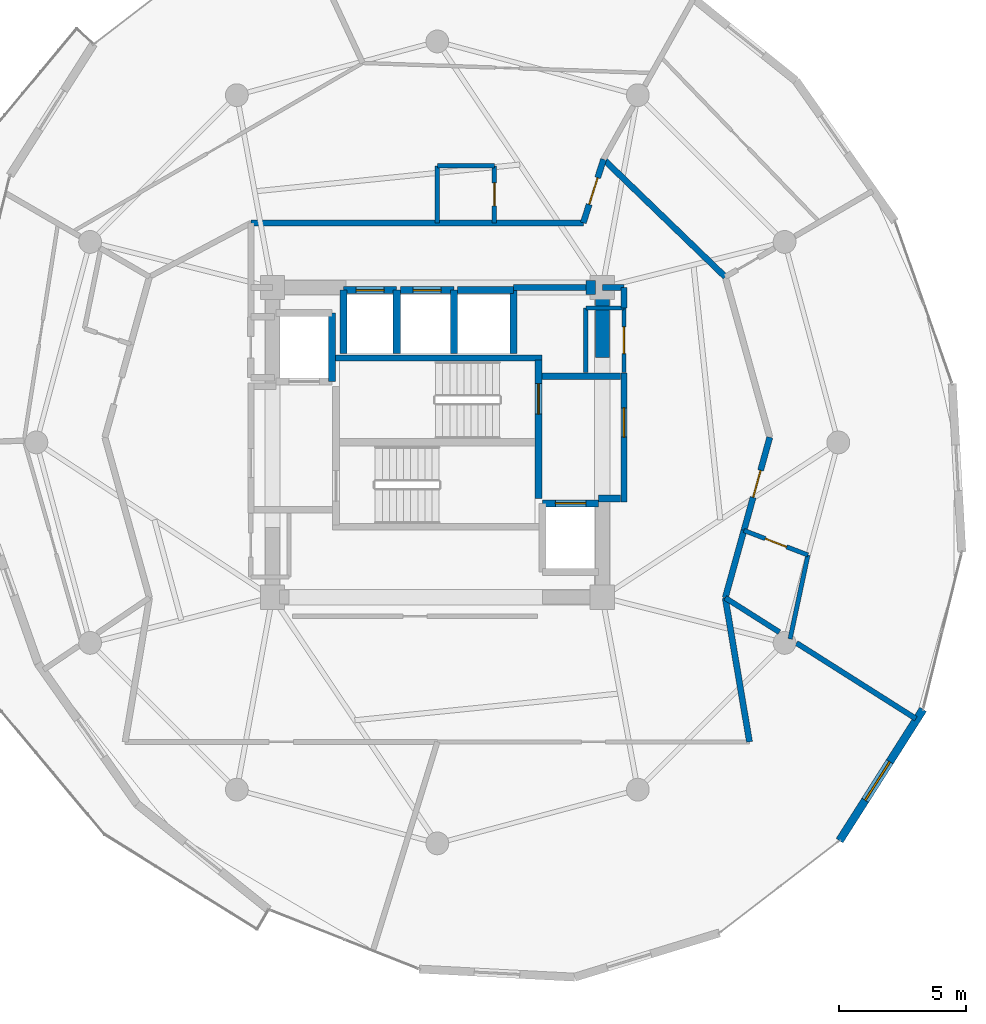
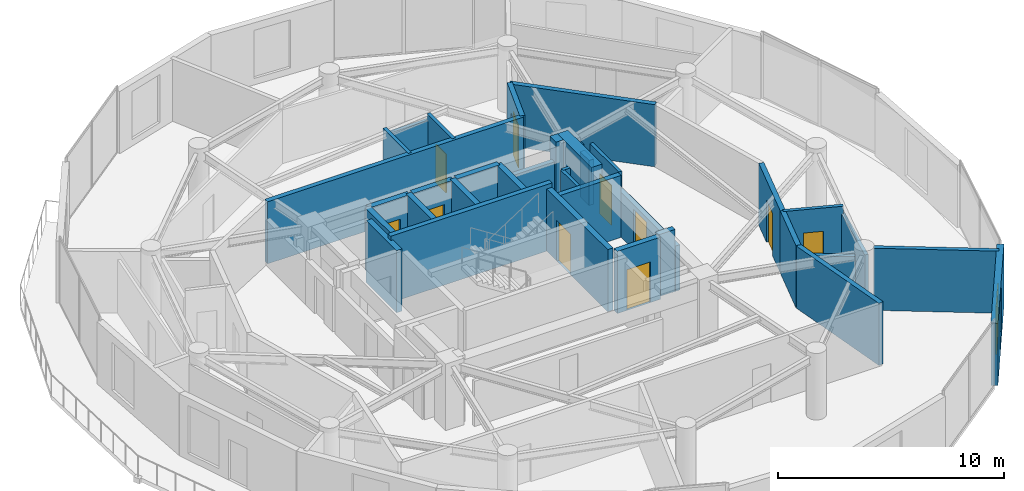
# One storey, part 15 of 18: 36 walls, 10 doors, 1 window, 11 openings.
"""IFC4 building model written with IfcOpenShell, lengths in metres."""

from ifc_helpers import new_model, si_unit, direction, frame, frame_2d, origin, place, context, subcontext, project, spatial, rectangle, extrude, material, layer, layer_set, type_object, element, fill, save


model = new_model("IFC4")

# Units and contexts
model_context = context("Model", 3, precision=1e-05, world=origin(), true_north=direction((0.0, 1.0)))
body_context = subcontext(model_context, "Body", "Model", "MODEL_VIEW")
ifc_project = project(units=[si_unit("LENGTHUNIT", "METRE"), si_unit("AREAUNIT", "SQUARE_METRE"), si_unit("VOLUMEUNIT", "CUBIC_METRE"), si_unit("PLANEANGLEUNIT", "RADIAN"), si_unit("MASSUNIT", "GRAM", prefix="KILO")], contexts=[model_context])

# Site, building, storey
site_placement = place(None, origin())
site = spatial("IfcSite", under=ifc_project, at=site_placement, CompositionType="ELEMENT")
building_placement = place(site_placement, origin())
building = spatial("IfcBuilding", under=site, at=building_placement, Name="Solvirekh Grand Hotel", CompositionType="ELEMENT")
storey_placement = place(building_placement, frame((0.0, 0.0, 198.39990234375)))
storey = spatial("IfcBuildingStorey", under=building, at=storey_placement, Name="L51", CompositionType="ELEMENT", Elevation=198.39990234375)

# Wall
ifc_material_1 = material(Name="Concrete C50/60", Category="concrete")
ifc_layer_1 = layer(ifc_material_1, 0.35009765625)
ifc_layer_set_1 = layer_set([ifc_layer_1], Name="Concrete C50/60")
wall_type_1 = type_object("IfcWallType", Name="CoreDivWall_RC350", PredefinedType="SOLIDWALL", material=ifc_layer_set_1)
wall_1_placement = place(storey_placement, frame((-4.1298828125, 3.324951171875, 0.0), z_axis=(0.0, 0.0, 1.0), x_axis=(1.0, 0.0, 0.0)))
element("IfcWall", 1, at=wall_1_placement, inside=storey, type_object=wall_type_1, Name="L51 core stair box wall ST-N", PredefinedType="SOLIDWALL", context=body_context, shape_type="SweptSolid", body=[
    extrude(rectangle(XDim=8.259765625, YDim=0.25, at=frame_2d((4.1298828125, 0.0))), origin(), (0.0, 0.0, 1.0), 3.60009765625),
])

# Wall, opening, door
ifc_material_2 = material(Name="Concrete C40/50", Category="concrete")
ifc_layer_2 = layer(ifc_material_2, 0.280029296875)
ifc_layer_set_2 = layer_set([ifc_layer_2], Name="Concrete C40/50")
wall_type_2 = type_object("IfcWallType", Name="CoreShaftWall_RC280", PredefinedType="SOLIDWALL", material=ifc_layer_set_2)
wall_2_placement = place(storey_placement, frame((-1.60009765625, 6.0, 0.0), z_axis=(0.0, 0.0, 1.0), x_axis=(-1.0, 0.0, 0.0)))
wall_2 = element("IfcWall", 2, at=wall_2_placement, inside=storey, type_object=wall_type_2, Name="L51 HP-1 hoistway N wall", PredefinedType="SOLIDWALL", context=body_context, shape_type="SweptSolid", body=[
    extrude(rectangle(XDim=2.099853515625, YDim=0.280029296875, at=frame_2d((1.0498046875, 0.0))), origin(), (0.0, 0.0, 1.0), 3.360107421875),
])
opening_1_placement = place(wall_2_placement, frame((0.5, 0.0, 0.0)))
opening_1 = element("IfcOpeningElement", 3, at=opening_1_placement, cuts=wall_2, Name="Opening LD01", PredefinedType="OPENING", context=body_context, shape_type="SweptSolid", body=[
    extrude(rectangle(XDim=1.10009765625, YDim=2.199951171875, at=frame_2d((0.550048828125, 1.10009765625))), frame((0.0, 0.14990234375, 0.0), z_axis=(0.0, -1.0, 0.0), x_axis=(1.0, 0.0, 0.0)), (0.0, 0.0, 1.0), 0.300048828125),
])
ifc_material_3 = material(Name="Fire-Rated Steel Door Assembly", Category="steel")
door_type_1 = type_object("IfcDoorType", Name="Door_LiftLanding_1100X2200", OperationType="SLIDING_TO_LEFT", PredefinedType="DOOR", material=ifc_material_3)
door_1_placement = place(opening_1_placement, origin())
door_1 = element("IfcDoor", 4, at=door_1_placement, inside=storey, type_object=door_type_1, Name="L51 HP-1 sliding lift landing door", OperationType="SLIDING_TO_LEFT", OverallHeight=2.199951171875, OverallWidth=1.10009765625, PredefinedType="DOOR", context=body_context, shape_type="SweptSolid", body=[
    extrude(rectangle(XDim=1.10009765625, YDim=2.199951171875, at=frame_2d((0.550048828125, 1.10009765625))), frame((0.0, 0.02490234375, 0.0), z_axis=(0.0, -1.0, 0.0), x_axis=(1.0, 0.0, 0.0)), (0.0, 0.0, 1.0), 0.050048828125),
])
fill(opening_1, door_1)

# Walls
for number, where, z_axis, x_axis, name in (
    (5, (-3.699951171875, 6.0, 0.0), (0.0, 0.0, 1.0), (0.0, -1.0, 0.0), "L51 HP-1 hoistway W wall"),
    (6, (-1.60009765625, 3.5, 0.0), (0.0, 0.0, 1.0), (0.0, 1.0, 0.0), "L51 HP-1 hoistway E wall"),
):
    element("IfcWall", number, at=place(storey_placement, frame(where, z_axis=z_axis, x_axis=x_axis)), inside=storey, type_object=wall_type_2, Name=name, PredefinedType="SOLIDWALL", context=body_context, shape_type="SweptSolid", body=[
        extrude(rectangle(XDim=2.5, YDim=0.280029296875, at=frame_2d((1.25, 0.0))), origin(), (0.0, 0.0, 1.0), 3.360107421875),
    ])

# Wall, opening, door
wall_3_placement = place(storey_placement, frame((0.64990234375, 6.0, 0.0), z_axis=(0.0, 0.0, 1.0), x_axis=(-1.0, 0.0, 0.0)))
wall_3 = element("IfcWall", 7, at=wall_3_placement, inside=storey, type_object=wall_type_2, Name="L51 HP-2 hoistway N wall", PredefinedType="SOLIDWALL", context=body_context, shape_type="SweptSolid", body=[
    extrude(rectangle(XDim=2.099853515625, YDim=0.280029296875, at=frame_2d((1.0498046875, 0.0))), origin(), (0.0, 0.0, 1.0), 3.360107421875),
])
opening_2_placement = place(wall_3_placement, frame((0.5, 0.0, 0.0)))
opening_2 = element("IfcOpeningElement", 8, at=opening_2_placement, cuts=wall_3, Name="Opening LD01", PredefinedType="OPENING", context=body_context, shape_type="SweptSolid", body=[
    extrude(rectangle(XDim=1.10009765625, YDim=2.199951171875, at=frame_2d((0.550048828125, 1.10009765625))), frame((0.0, 0.14990234375, 0.0), z_axis=(0.0, -1.0, 0.0), x_axis=(1.0, 0.0, 0.0)), (0.0, 0.0, 1.0), 0.300048828125),
])
door_2_placement = place(opening_2_placement, origin())
door_2 = element("IfcDoor", 9, at=door_2_placement, inside=storey, type_object=door_type_1, Name="L51 HP-2 sliding lift landing door", OperationType="SLIDING_TO_LEFT", OverallHeight=2.199951171875, OverallWidth=1.10009765625, PredefinedType="DOOR", context=body_context, shape_type="SweptSolid", body=[
    extrude(rectangle(XDim=1.10009765625, YDim=2.199951171875, at=frame_2d((0.550048828125, 1.10009765625))), frame((0.0, 0.02490234375, 0.0), z_axis=(0.0, -1.0, 0.0), x_axis=(1.0, 0.0, 0.0)), (0.0, 0.0, 1.0), 0.050048828125),
])
fill(opening_2, door_2)

# Walls
wall_4_placement = place(storey_placement, frame((0.64990234375, 3.5, 0.0), z_axis=(0.0, 0.0, 1.0), x_axis=(0.0, 1.0, 0.0)))
element("IfcWall", 10, at=wall_4_placement, inside=storey, type_object=wall_type_2, Name="L51 HP-2 hoistway E wall", PredefinedType="SOLIDWALL", context=body_context, shape_type="SweptSolid", body=[
    extrude(rectangle(XDim=2.5, YDim=0.280029296875, at=frame_2d((1.25, 0.0))), origin(), (0.0, 0.0, 1.0), 3.360107421875),
])
wall_5_placement = place(storey_placement, frame((3.0, 6.0, 0.0), z_axis=(0.0, 0.0, 1.0), x_axis=(-1.0, 0.0, 0.0)))
element("IfcWall", 11, at=wall_5_placement, inside=storey, type_object=wall_type_2, Name="L51 EX-1 hoistway N wall", PredefinedType="SOLIDWALL", context=body_context, shape_type="SweptSolid", body=[
    extrude(rectangle(XDim=2.199951171875, YDim=0.280029296875, at=frame_2d((1.10009765625, 0.0))), origin(), (0.0, 0.0, 1.0), 3.360107421875),
])
wall_6_placement = place(storey_placement, frame((3.0, 3.5, 0.0), z_axis=(0.0, 0.0, 1.0), x_axis=(0.0, 1.0, 0.0)))
element("IfcWall", 12, at=wall_6_placement, inside=storey, type_object=wall_type_2, Name="L51 EX-1 hoistway E wall", PredefinedType="SOLIDWALL", context=body_context, shape_type="SweptSolid", body=[
    extrude(rectangle(XDim=2.5, YDim=0.280029296875, at=frame_2d((1.25, 0.0))), origin(), (0.0, 0.0, 1.0), 3.360107421875),
])
wall_7_placement = place(storey_placement, frame((-4.14990234375, 2.39990234375, 0.0), z_axis=(0.0, 0.0, 1.0), x_axis=(0.0, 1.0, 0.0)))
element("IfcWall", 13, at=wall_7_placement, inside=storey, type_object=wall_type_2, Name="L51 FL-1 hoistway E wall", PredefinedType="SOLIDWALL", context=body_context, shape_type="SweptSolid", body=[
    extrude(rectangle(XDim=2.7001953125, YDim=0.280029296875, at=frame_2d((1.35009765625, 0.0))), origin(), (0.0, 0.0, 1.0), 3.360107421875),
])

# Wall, opening, door
wall_8_placement = place(storey_placement, frame((6.35009765625, -2.39990234375, 0.0), z_axis=(0.0, 0.0, 1.0), x_axis=(-1.0, 0.0, 0.0)))
wall_8 = element("IfcWall", 14, at=wall_8_placement, inside=storey, type_object=wall_type_2, Name="L51 FL-2 hoistway N wall", PredefinedType="SOLIDWALL", context=body_context, shape_type="SweptSolid", body=[
    extrude(rectangle(XDim=2.2001953125, YDim=0.280029296875, at=frame_2d((1.10009765625, 0.0))), origin(), (0.0, 0.0, 1.0), 3.360107421875),
])
opening_3_placement = place(wall_8_placement, frame((0.5, 0.0, 0.0)))
opening_3 = element("IfcOpeningElement", 15, at=opening_3_placement, cuts=wall_8, Name="Opening LD02", PredefinedType="OPENING", context=body_context, shape_type="SweptSolid", body=[
    extrude(rectangle(XDim=1.199951171875, YDim=2.199951171875, at=frame_2d((0.60009765625, 1.10009765625))), frame((0.0, 0.14990234375, 0.0), z_axis=(0.0, -1.0, 0.0), x_axis=(1.0, 0.0, 0.0)), (0.0, 0.0, 1.0), 0.300048828125),
])
door_type_2 = type_object("IfcDoorType", Name="Door_LiftFF_1200X2200", OperationType="SLIDING_TO_LEFT", PredefinedType="DOOR", material=ifc_material_3)
door_3_placement = place(opening_3_placement, origin())
door_3 = element("IfcDoor", 16, at=door_3_placement, inside=storey, type_object=door_type_2, Name="L51 FL-2 sliding lift landing door", OperationType="SLIDING_TO_LEFT", OverallHeight=2.199951171875, OverallWidth=1.199951171875, PredefinedType="DOOR", context=body_context, shape_type="SweptSolid", body=[
    extrude(rectangle(XDim=1.199951171875, YDim=2.199951171875, at=frame_2d((0.60009765625, 1.10009765625))), frame((0.0, 0.02490234375, 0.0), z_axis=(0.0, -1.0, 0.0), x_axis=(1.0, 0.0, 0.0)), (0.0, 0.0, 1.0), 0.050048828125),
])
fill(opening_3, door_3)

wall_9_placement = place(storey_placement, frame((3.989990234375, -2.2099609375, 0.0), z_axis=(0.0, 0.0, 1.0), x_axis=(0.0, 1.0, 0.0)))
wall_9 = element("IfcWall", 17, at=wall_9_placement, inside=storey, type_object=wall_type_2, Name="L51 east stair landing enclosure wall", PredefinedType="SOLIDWALL", context=body_context, shape_type="SweptSolid", body=[
    extrude(rectangle(XDim=5.4599609375, YDim=0.280029296875, at=frame_2d((2.72998046875, 0.0))), origin(), (0.0, 0.0, 1.0), 3.360107421875),
])
opening_4_placement = place(wall_9_placement, frame((3.322998046875, 0.0, 0.0)))
opening_4 = element("IfcOpeningElement", 18, at=opening_4_placement, cuts=wall_9, Name="Opening D05", PredefinedType="OPENING", context=body_context, shape_type="SweptSolid", body=[
    extrude(rectangle(XDim=1.199951171875, YDim=2.199951171875, at=frame_2d((0.60009765625, 1.10009765625))), frame((0.0, 0.14990234375, 0.0), z_axis=(0.0, -1.0, 0.0), x_axis=(1.0, 0.0, 0.0)), (0.0, 0.0, 1.0), 0.300048828125),
])
door_type_3 = type_object("IfcDoorType", Name="Door_StairCore_1200X2200", OperationType="NOTDEFINED", PredefinedType="DOOR", material=ifc_material_3)
door_4_placement = place(opening_4_placement, origin())
door_4 = element("IfcDoor", 19, at=door_4_placement, inside=storey, type_object=door_type_3, Name="L51 exit stair ST-2 fire door", OperationType="SINGLE_SWING_LEFT", OverallHeight=2.199951171875, OverallWidth=1.199951171875, PredefinedType="DOOR", context=body_context, shape_type="SweptSolid", body=[
    extrude(rectangle(XDim=1.199951171875, YDim=2.199951171875, at=frame_2d((0.60009765625, 1.10009765625))), frame((0.0, 0.02490234375, 0.0), z_axis=(0.0, -1.0, 0.0), x_axis=(1.0, 0.0, 0.0)), (0.0, 0.0, 1.0), 0.050048828125),
])
fill(opening_4, door_4)

# Walls
ifc_layer_3 = layer(ifc_material_1, 0.550048828125)
ifc_layer_set_3 = layer_set([ifc_layer_3], Name="Concrete C50/60")
wall_type_3 = type_object("IfcWallType", Name="CoreWall_RC550", PredefinedType="SHEAR", material=ifc_layer_set_3)
wall_10_placement = place(storey_placement, frame((5.85009765625, 6.10009765625, 0.0), z_axis=(0.0, 0.0, 1.0), x_axis=(1.0, 0.0, 0.0)))
element("IfcWall", 20, at=wall_10_placement, inside=storey, type_object=wall_type_3, Name="L51 core corner shear wall NE-N", PredefinedType="SHEAR", context=body_context, shape_type="SweptSolid", body=[
    extrude(rectangle(XDim=0.375, YDim=0.550048828125, at=frame_2d((0.1875, 0.0))), origin(), (0.0, 0.0, 1.0), 3.60009765625),
])
wall_11_placement = place(storey_placement, frame((6.5, 3.35009765625, 0.0), z_axis=(0.0, 0.0, 1.0), x_axis=(0.0, 1.0, 0.0)))
element("IfcWall", 21, at=wall_11_placement, inside=storey, type_object=wall_type_3, Name="L51 core corner shear wall EN-E", PredefinedType="SHEAR", context=body_context, shape_type="SweptSolid", body=[
    extrude(rectangle(XDim=3.02490234375, YDim=0.550048828125, at=frame_2d((1.512451171875, 0.0))), origin(), (0.0, 0.0, 1.0), 3.60009765625),
])

# Wall, opening, window
ifc_material_4 = material(Name="Precast concrete C45/55", Category="concrete")
ifc_layer_4 = layer(ifc_material_4, 0.320068359375)
ifc_layer_set_4 = layer_set([ifc_layer_4], Name="Precast concrete C45/55")
wall_type_4 = type_object("IfcWallType", Name="ExtLobbyWall_RC320", PredefinedType="SOLIDWALL", material=ifc_layer_set_4)
wall_12_placement = place(storey_placement, frame((19.14111328125, -10.52001953125, 0.0), z_axis=(0.0, 0.0, 1.0), x_axis=(-0.536805938934, -0.843705744869, 0.0)))
wall_12 = element("IfcWall", 22, at=wall_12_placement, inside=storey, type_object=wall_type_4, Name="L51 exterior structural wall chord 2", PredefinedType="SOLIDWALL", context=body_context, shape_type="SweptSolid", body=[
    extrude(rectangle(XDim=6.132568359375, YDim=0.320068359375, at=frame_2d((3.06640625, 0.0))), origin(), (0.0, 0.0, 1.0), 3.360107421875),
])
opening_5_placement = place(wall_12_placement, frame((2.447021484375, 0.0, 0.35009765625)))
opening_5 = element("IfcOpeningElement", 23, at=opening_5_placement, cuts=wall_12, Name="Opening W02", PredefinedType="OPENING", context=body_context, shape_type="SweptSolid", body=[
    extrude(rectangle(XDim=1.800048828125, YDim=2.60009765625, at=frame_2d((0.89990234375, 1.300048828125))), frame((0.0, 0.169921875, 0.0), z_axis=(0.0, -1.0, 0.0), x_axis=(1.0, 0.0, 0.0)), (0.0, 0.0, 1.0), 0.340087890625),
])
ifc_material_5 = material(Name="Low-E Tinted Bronze Laminated Glass", Category="aluminium")
window_type = type_object("IfcWindowType", Name="Win_LobbyExt_1800X2600", PartitioningType="SINGLE_PANEL", PredefinedType="WINDOW", material=ifc_material_5)
window_placement = place(opening_5_placement, origin())
window = element("IfcWindow", 24, at=window_placement, inside=storey, type_object=window_type, Name="L51 panoramic bronze-framed window 2", OverallHeight=2.60009765625, OverallWidth=1.800048828125, PartitioningType="SINGLE_PANEL", PredefinedType="WINDOW", context=body_context, shape_type="SweptSolid", body=[
    extrude(rectangle(XDim=1.800048828125, YDim=2.60009765625, at=frame_2d((0.89990234375, 1.300048828125))), frame((0.0, 0.030029296875, 0.0), z_axis=(0.0, -1.0, 0.0), x_axis=(1.0, 0.0, 0.0)), (0.0, 0.0, 1.0), 0.06005859375),
])
fill(opening_5, window)

# Wall, opening, door
ifc_material_6 = material(Name="Acoustic Gypsum Partition Assembly")
ifc_layer_5 = layer(ifc_material_6, 0.1650390625)
ifc_layer_set_5 = layer_set([ifc_layer_5], Name="Acoustic Gypsum Partition Assembly")
wall_type_5 = type_object("IfcWallType", Name="Part_BOH_165", PredefinedType="PARTITIONING", material=ifc_layer_set_5)
wall_13_placement = place(storey_placement, frame((7.35009765625, 2.75, 0.0), z_axis=(0.0, 0.0, 1.0), x_axis=(0.0, 1.0, 0.0)))
wall_13 = element("IfcWall", 25, at=wall_13_placement, inside=storey, type_object=wall_type_5, Name="L51 L51 Telecom Distribution Room wall 2", PredefinedType="PARTITIONING", context=body_context, shape_type="SweptSolid", body=[
    extrude(rectangle(XDim=2.550048828125, YDim=0.1650390625, at=frame_2d((1.27490234375, 0.0))), origin(), (0.0, 0.0, 1.0), 3.360107421875),
])
opening_6_placement = place(wall_13_placement, frame((0.75, 0.0, 0.0)))
opening_6 = element("IfcOpeningElement", 26, at=opening_6_placement, cuts=wall_13, Name="Opening D12", PredefinedType="OPENING", context=body_context, shape_type="SweptSolid", body=[
    extrude(rectangle(XDim=1.050048828125, YDim=2.14990234375, at=frame_2d((0.52490234375, 1.074951171875))), frame((0.0, 0.092529296875, 0.0), z_axis=(0.0, -1.0, 0.0), x_axis=(1.0, 0.0, 0.0)), (0.0, 0.0, 1.0), 0.18505859375),
])
door_type_4 = type_object("IfcDoorType", Name="Door_PlantBOH_1050X2150", OperationType="NOTDEFINED", PredefinedType="DOOR", material=ifc_material_3)
door_5_placement = place(opening_6_placement, origin())
door_5 = element("IfcDoor", 27, at=door_5_placement, inside=storey, type_object=door_type_4, Name="L51 L51 Telecom Distribution Room door", OperationType="SINGLE_SWING_RIGHT", OverallHeight=2.14990234375, OverallWidth=1.050048828125, PredefinedType="DOOR", context=body_context, shape_type="SweptSolid", body=[
    extrude(rectangle(XDim=1.050048828125, YDim=2.14990234375, at=frame_2d((0.52490234375, 1.074951171875))), frame((0.0, 0.02490234375, 0.0), z_axis=(0.0, -1.0, 0.0), x_axis=(1.0, 0.0, 0.0)), (0.0, 0.0, 1.0), 0.050048828125),
])
fill(opening_6, door_5)

# Walls
wall_14_placement = place(storey_placement, frame((7.35009765625, 5.300048828125, 0.0), z_axis=(0.0, 0.0, 1.0), x_axis=(-1.0, 0.0, 0.0)))
element("IfcWall", 28, at=wall_14_placement, inside=storey, type_object=wall_type_5, Name="L51 L51 Telecom Distribution Room wall 3", PredefinedType="PARTITIONING", context=body_context, shape_type="SweptSolid", body=[
    extrude(rectangle(XDim=1.5, YDim=0.1650390625, at=frame_2d((0.75, 0.0))), origin(), (0.0, 0.0, 1.0), 2.445068359375),
])
wall_15_placement = place(storey_placement, frame((5.85009765625, 5.300048828125, 0.0), z_axis=(0.0, 0.0, 1.0), x_axis=(0.0, -1.0, 0.0)))
element("IfcWall", 29, at=wall_15_placement, inside=storey, type_object=wall_type_5, Name="L51 L51 Telecom Distribution Room wall 4", PredefinedType="PARTITIONING", context=body_context, shape_type="SweptSolid", body=[
    extrude(rectangle(XDim=2.550048828125, YDim=0.1650390625, at=frame_2d((1.27490234375, 0.0))), origin(), (0.0, 0.0, 1.0), 2.445068359375),
])

# Wall, opening, door
ifc_layer_6 = layer(ifc_material_6, 0.239990234375)
ifc_layer_set_6 = layer_set([ifc_layer_6], Name="Acoustic Gypsum Partition Assembly")
wall_type_6 = type_object("IfcWallType", Name="Part_Corridor_240", PredefinedType="PARTITIONING", material=ifc_layer_set_6)
wall_16_placement = place(storey_placement, frame((7.35009765625, -2.340087890625, 0.0), z_axis=(0.0, 0.0, 1.0), x_axis=(0.0, 1.0, 0.0)))
wall_16 = element("IfcWall", 30, at=wall_16_placement, inside=storey, type_object=wall_type_6, Name="L51 east firefighting lobby smoke screen wall", PredefinedType="PARTITIONING", context=body_context, shape_type="SweptSolid", body=[
    extrude(rectangle(XDim=5.070068359375, YDim=0.239990234375, at=frame_2d((2.53515625, 0.0))), origin(), (0.0, 0.0, 1.0), 2.445068359375),
])
opening_7_placement = place(wall_16_placement, frame((2.548095703125, 0.0, 0.0)))
opening_7 = element("IfcOpeningElement", 31, at=opening_7_placement, cuts=wall_16, Name="Opening D06", PredefinedType="OPENING", context=body_context, shape_type="SweptSolid", body=[
    extrude(rectangle(XDim=1.14990234375, YDim=2.199951171875, at=frame_2d((0.574951171875, 1.10009765625))), frame((0.0, 0.1298828125, 0.0), z_axis=(0.0, -1.0, 0.0), x_axis=(1.0, 0.0, 0.0)), (0.0, 0.0, 1.0), 0.260009765625),
])
door_type_5 = type_object("IfcDoorType", Name="Door_FFLobby_1150X2200", OperationType="NOTDEFINED", PredefinedType="DOOR", material=ifc_material_3)
door_6_placement = place(opening_7_placement, origin())
door_6 = element("IfcDoor", 32, at=door_6_placement, inside=storey, type_object=door_type_5, Name="L51 east firefighting lobby smoke door", OperationType="SINGLE_SWING_LEFT", OverallHeight=2.199951171875, OverallWidth=1.14990234375, PredefinedType="DOOR", context=body_context, shape_type="SweptSolid", body=[
    extrude(rectangle(XDim=1.14990234375, YDim=2.199951171875, at=frame_2d((0.574951171875, 1.10009765625))), frame((0.0, 0.02490234375, 0.0), z_axis=(0.0, -1.0, 0.0), x_axis=(1.0, 0.0, 0.0)), (0.0, 0.0, 1.0), 0.050048828125),
])
fill(opening_7, door_6)

# Walls
wall_17_placement = place(storey_placement, frame((-7.35009765625, 8.64990234375, 0.0), z_axis=(0.0, 0.0, 1.0), x_axis=(1.0, 0.0, 0.0)))
element("IfcWall", 33, at=wall_17_placement, inside=storey, type_object=wall_type_6, Name="L51 north lift lobby enclosure wall", PredefinedType="PARTITIONING", context=body_context, shape_type="SweptSolid", body=[
    extrude(rectangle(XDim=13.10009765625, YDim=0.239990234375, at=frame_2d((6.550048828125, 0.0))), origin(), (0.0, 0.0, 1.0), 3.360107421875),
])
wall_18_placement = place(storey_placement, frame((3.0, 6.10009765625, 0.0), z_axis=(0.0, 0.0, 1.0), x_axis=(1.0, 0.0, 0.0)))
element("IfcWall", 34, at=wall_18_placement, inside=storey, type_object=wall_type_6, Name="L51 north core shaft infill wall", PredefinedType="PARTITIONING", context=body_context, shape_type="SweptSolid", body=[
    extrude(rectangle(XDim=2.85009765625, YDim=0.239990234375, at=frame_2d((1.425048828125, 0.0))), origin(), (0.0, 0.0, 1.0), 2.445068359375),
])
wall_19_placement = place(storey_placement, frame((7.35009765625, 5.300048828125, 0.0), z_axis=(0.0, 0.0, 1.0), x_axis=(0.0, 1.0, 0.0)))
element("IfcWall", 35, at=wall_19_placement, inside=storey, type_object=wall_type_6, Name="L51 NE core cheek closure wall", PredefinedType="PARTITIONING", context=body_context, shape_type="SweptSolid", body=[
    extrude(rectangle(XDim=0.800048828125, YDim=0.239990234375, at=frame_2d((0.39990234375, 0.0))), origin(), (0.0, 0.0, 1.0), 2.445068359375),
])
wall_20_placement = place(storey_placement, frame((6.5, 6.10009765625, 0.0), z_axis=(0.0, 0.0, 1.0), x_axis=(1.0, 0.0, 0.0)))
element("IfcWall", 36, at=wall_20_placement, inside=storey, type_object=wall_type_6, Name="L51 NE core corner tie wall", PredefinedType="PARTITIONING", context=body_context, shape_type="SweptSolid", body=[
    extrude(rectangle(XDim=0.85009765625, YDim=0.239990234375, at=frame_2d((0.425048828125, 0.0))), origin(), (0.0, 0.0, 1.0), 2.8759765625),
])

# Wall, opening, door
wall_21_placement = place(storey_placement, frame((5.75, 8.64990234375, 0.0), z_axis=(0.0, 0.0, 1.0), x_axis=(0.304226604656, 0.952599691906, 0.0)))
wall_21 = element("IfcWall", 37, at=wall_21_placement, inside=storey, type_object=wall_type_6, Name="L51 Panorama Suite 5301 Inner Suite Lounge entrance wall", PredefinedType="PARTITIONING", context=body_context, shape_type="SweptSolid", body=[
    extrude(rectangle(XDim=2.6298828125, YDim=0.239990234375, at=frame_2d((1.31494140625, 0.0))), origin(), (0.0, 0.0, 1.0), 3.360107421875),
])
opening_8_placement = place(wall_21_placement, frame((0.764892578125, 0.0, 0.0)))
opening_8 = element("IfcOpeningElement", 38, at=opening_8_placement, cuts=wall_21, Name="Opening D08", PredefinedType="OPENING", context=body_context, shape_type="SweptSolid", body=[
    extrude(rectangle(XDim=1.10009765625, YDim=2.300048828125, at=frame_2d((0.550048828125, 1.14990234375))), frame((0.0, 0.1298828125, 0.0), z_axis=(0.0, -1.0, 0.0), x_axis=(1.0, 0.0, 0.0)), (0.0, 0.0, 1.0), 0.260009765625),
])
door_type_6 = type_object("IfcDoorType", Name="Door_SuiteEntry_1100X2300", OperationType="NOTDEFINED", PredefinedType="DOOR", material=ifc_material_3)
door_7_placement = place(opening_8_placement, origin())
door_7 = element("IfcDoor", 39, at=door_7_placement, inside=storey, type_object=door_type_6, Name="L51 Panorama Suite 5301 Inner Suite Lounge entrance door", OperationType="SINGLE_SWING_LEFT", OverallHeight=2.300048828125, OverallWidth=1.10009765625, PredefinedType="DOOR", context=body_context, shape_type="SweptSolid", body=[
    extrude(rectangle(XDim=1.10009765625, YDim=2.300048828125, at=frame_2d((0.550048828125, 1.14990234375))), frame((0.0, 0.02490234375, 0.0), z_axis=(0.0, -1.0, 0.0), x_axis=(1.0, 0.0, 0.0)), (0.0, 0.0, 1.0), 0.050048828125),
])
fill(opening_8, door_7)

# Wall
wall_22_placement = place(storey_placement, frame((11.344970703125, -6.125, 0.0), z_axis=(0.0, 0.0, 1.0), x_axis=(0.267401739017, 0.963585133743, 0.0)))
element("IfcWall", 40, at=wall_22_placement, inside=storey, type_object=wall_type_6, Name="L51 En-suite Bathroom 5303 corridor backing wall", PredefinedType="PARTITIONING", context=body_context, shape_type="SweptSolid", body=[
    extrude(rectangle(XDim=2.75634765625, YDim=0.239990234375, at=frame_2d((1.378173828125, 0.0))), origin(), (0.0, 0.0, 1.0), 3.360107421875),
])

# Wall, opening, door
wall_23_placement = place(storey_placement, frame((12.08203125, -3.468994140625, 0.0), z_axis=(0.0, 0.0, 1.0), x_axis=(0.267379290897, 0.963591362975, 0.0)))
wall_23 = element("IfcWall", 41, at=wall_23_placement, inside=storey, type_object=wall_type_6, Name="L51 Diplomatic Suite 5303 Living Room entrance wall", PredefinedType="PARTITIONING", context=body_context, shape_type="SweptSolid", body=[
    extrude(rectangle(XDim=3.8076171875, YDim=0.239990234375, at=frame_2d((1.90380859375, 0.0))), origin(), (0.0, 0.0, 1.0), 3.360107421875),
])
opening_9_placement = place(wall_23_placement, frame((1.35400390625, 0.0, 0.0)))
opening_9 = element("IfcOpeningElement", 42, at=opening_9_placement, cuts=wall_23, Name="Opening D08", PredefinedType="OPENING", context=body_context, shape_type="SweptSolid", body=[
    extrude(rectangle(XDim=1.10009765625, YDim=2.300048828125, at=frame_2d((0.550048828125, 1.14990234375))), frame((0.0, 0.1298828125, 0.0), z_axis=(0.0, -1.0, 0.0), x_axis=(1.0, 0.0, 0.0)), (0.0, 0.0, 1.0), 0.260009765625),
])
door_8_placement = place(opening_9_placement, origin())
door_8 = element("IfcDoor", 43, at=door_8_placement, inside=storey, type_object=door_type_6, Name="L51 Diplomatic Suite 5303 Living Room entrance door", OperationType="SINGLE_SWING_LEFT", OverallHeight=2.300048828125, OverallWidth=1.10009765625, PredefinedType="DOOR", context=body_context, shape_type="SweptSolid", body=[
    extrude(rectangle(XDim=1.10009765625, YDim=2.300048828125, at=frame_2d((0.550048828125, 1.14990234375))), frame((0.0, 0.02490234375, 0.0), z_axis=(0.0, -1.0, 0.0), x_axis=(1.0, 0.0, 0.0)), (0.0, 0.0, 1.0), 0.050048828125),
])
fill(opening_9, door_8)

# Walls
wall_24_placement = place(storey_placement, frame((11.344970703125, 6.52490234375, 0.0), z_axis=(0.0, 0.0, 1.0), x_axis=(-0.719360436772, 0.694637000172, 0.0)))
element("IfcWall", 44, at=wall_24_placement, inside=storey, type_object=wall_type_6, Name="L51 Diplomatic Suite 5303 Suite Foyer corridor enclosure wall", PredefinedType="PARTITIONING", context=body_context, shape_type="SweptSolid", body=[
    extrude(rectangle(XDim=6.66552734375, YDim=0.239990234375, at=frame_2d((3.332763671875, 0.0))), origin(), (0.0, 0.0, 1.0), 3.360107421875),
])
wall_25_placement = place(storey_placement, frame((12.300048828125, -11.800048828125, 0.0), z_axis=(0.0, 0.0, 1.0), x_axis=(-0.165960421789, 0.986132414232, 0.0)))
element("IfcWall", 45, at=wall_25_placement, inside=storey, type_object=wall_type_6, Name="L51 L51 Butler Valet & Linen Steward Room corridor wall 1", PredefinedType="PARTITIONING", context=body_context, shape_type="SweptSolid", body=[
    extrude(rectangle(XDim=5.7548828125, YDim=0.239990234375, at=frame_2d((2.87744140625, 0.0))), origin(), (0.0, 0.0, 1.0), 3.360107421875),
])
ifc_layer_7 = layer(ifc_material_6, 0.260009765625)
ifc_layer_set_7 = layer_set([ifc_layer_7], Name="Acoustic Gypsum Partition Assembly")
wall_type_7 = type_object("IfcWallType", Name="Part_LobbyFF_260", PredefinedType="PARTITIONING", material=ifc_layer_set_7)
wall_26_placement = place(storey_placement, frame((6.35009765625, -2.2099609375, 0.0), z_axis=(0.0, 0.0, 1.0), x_axis=(1.0, 0.0, 0.0)))
element("IfcWall", 46, at=wall_26_placement, inside=storey, type_object=wall_type_7, Name="L51 east firefighting lobby SE cheek", PredefinedType="PARTITIONING", context=body_context, shape_type="SweptSolid", body=[
    extrude(rectangle(XDim=0.875, YDim=0.260009765625, at=frame_2d((0.4375, 0.0))), origin(), (0.0, 0.0, 1.0), 3.360107421875),
])
wall_27_placement = place(storey_placement, frame((4.1298828125, 2.60009765625, 0.0), z_axis=(0.0, 0.0, 1.0), x_axis=(1.0, 0.0, 0.0)))
element("IfcWall", 47, at=wall_27_placement, inside=storey, type_object=wall_type_7, Name="L51 east firefighting lobby north partition", PredefinedType="PARTITIONING", context=body_context, shape_type="SweptSolid", body=[
    extrude(rectangle(XDim=3.09521484375, YDim=0.260009765625, at=frame_2d((1.547607421875, 0.0))), origin(), (0.0, 0.0, 1.0), 3.360107421875),
])
ifc_layer_8 = layer(ifc_material_6, 0.2099609375)
ifc_layer_set_8 = layer_set([ifc_layer_8], Name="Acoustic Gypsum Partition Assembly")
wall_type_8 = type_object("IfcWallType", Name="Part_SuiteDemise_210", PredefinedType="PARTITIONING", material=ifc_layer_set_8)
wall_28_placement = place(storey_placement, frame((11.344970703125, -6.125, 0.0), z_axis=(0.0, 0.0, 1.0), x_axis=(0.844619463995, -0.535367127344, 0.0)))
element("IfcWall", 48, at=wall_28_placement, inside=storey, type_object=wall_type_8, Name="L51 suite radial wall 12 (A)", PredefinedType="PARTITIONING", context=body_context, shape_type="SweptSolid", body=[
    extrude(rectangle(XDim=2.525390625, YDim=0.2099609375, at=frame_2d((1.2626953125, 0.0))), origin(), (0.0, 0.0, 1.0), 2.8759765625),
])
wall_29_placement = place(storey_placement, frame((14.153076171875, -7.905029296875, 0.0), z_axis=(0.0, 0.0, 1.0), x_axis=(0.844611036589, -0.535380422571, 0.0)))
element("IfcWall", 49, at=wall_29_placement, inside=storey, type_object=wall_type_8, Name="L51 suite radial wall 12 (B)", PredefinedType="PARTITIONING", context=body_context, shape_type="SweptSolid", body=[
    extrude(rectangle(XDim=5.571533203125, YDim=0.2099609375, at=frame_2d((2.78564453125, 0.0))), origin(), (0.0, 0.0, 1.0), 3.360107421875),
])
ifc_layer_9 = layer(ifc_material_6, 0.175048828125)
ifc_layer_set_9 = layer_set([ifc_layer_9], Name="Acoustic Gypsum Partition Assembly")
wall_type_9 = type_object("IfcWallType", Name="Plumb_Ensuite_175", PredefinedType="PLUMBINGWALL", material=ifc_layer_set_9)
wall_30_placement = place(storey_placement, frame((0.0, 10.89990234375, 0.0), z_axis=(0.0, 0.0, 1.0), x_axis=(1.0, 0.0, 0.0)))
element("IfcWall", 50, at=wall_30_placement, inside=storey, type_object=wall_type_9, Name="L51 En-suite Bathroom 5301 outer plumbing wall", PredefinedType="PLUMBINGWALL", context=body_context, shape_type="SweptSolid", body=[
    extrude(rectangle(XDim=2.25, YDim=0.175048828125, at=frame_2d((1.125, 0.0))), origin(), (0.0, 0.0, 1.0), 3.0419921875),
])
wall_31_placement = place(storey_placement, frame((0.0, 10.89990234375, 0.0), z_axis=(0.0, 0.0, 1.0), x_axis=(0.0, -1.0, 0.0)))
element("IfcWall", 51, at=wall_31_placement, inside=storey, type_object=wall_type_9, Name="L51 En-suite Bathroom 5301 side plumbing wall", PredefinedType="PLUMBINGWALL", context=body_context, shape_type="SweptSolid", body=[
    extrude(rectangle(XDim=2.25, YDim=0.175048828125, at=frame_2d((1.125, 0.0))), origin(), (0.0, 0.0, 1.0), 3.360107421875),
])

# Wall, opening, door
wall_32_placement = place(storey_placement, frame((2.25, 8.64990234375, 0.0), z_axis=(0.0, 0.0, 1.0), x_axis=(0.0, 1.0, 0.0)))
wall_32 = element("IfcWall", 52, at=wall_32_placement, inside=storey, type_object=wall_type_9, Name="L51 En-suite Bathroom 5301 entry plumbing wall", PredefinedType="PLUMBINGWALL", context=body_context, shape_type="SweptSolid", body=[
    extrude(rectangle(XDim=2.25, YDim=0.175048828125, at=frame_2d((1.125, 0.0))), origin(), (0.0, 0.0, 1.0), 3.360107421875),
])
opening_10_placement = place(wall_32_placement, frame((0.675048828125, 0.0, 0.0)))
opening_10 = element("IfcOpeningElement", 53, at=opening_10_placement, cuts=wall_32, Name="Opening D09", PredefinedType="OPENING", context=body_context, shape_type="SweptSolid", body=[
    extrude(rectangle(XDim=0.89990234375, YDim=2.10009765625, at=frame_2d((0.449951171875, 1.050048828125))), frame((0.0, 0.09765625, 0.0), z_axis=(0.0, -1.0, 0.0), x_axis=(1.0, 0.0, 0.0)), (0.0, 0.0, 1.0), 0.195068359375),
])
ifc_material_7 = material(Name="Anodized Bronze Aluminium 6063-T6", Category="aluminium")
door_type_7 = type_object("IfcDoorType", Name="Door_Ensuite_900X2100", OperationType="NOTDEFINED", PredefinedType="DOOR", material=ifc_material_7)
door_9_placement = place(opening_10_placement, origin())
door_9 = element("IfcDoor", 54, at=door_9_placement, inside=storey, type_object=door_type_7, Name="L51 En-suite Bathroom 5301 door", OperationType="SINGLE_SWING_RIGHT", OverallHeight=2.10009765625, OverallWidth=0.89990234375, PredefinedType="DOOR", context=body_context, shape_type="SweptSolid", body=[
    extrude(rectangle(XDim=0.89990234375, YDim=2.10009765625, at=frame_2d((0.449951171875, 1.050048828125))), frame((0.0, 0.02490234375, 0.0), z_axis=(0.0, -1.0, 0.0), x_axis=(1.0, 0.0, 0.0)), (0.0, 0.0, 1.0), 0.050048828125),
])
fill(opening_10, door_9)

# Wall
wall_33_placement = place(storey_placement, frame((13.89990234375, -7.743896484375, 0.0), z_axis=(0.0, 0.0, 1.0), x_axis=(0.208251685577, 0.978075270853, 0.0)))
element("IfcWall", 55, at=wall_33_placement, inside=storey, type_object=wall_type_9, Name="L51 En-suite Bathroom 5303 outer plumbing wall", PredefinedType="PLUMBINGWALL", context=body_context, shape_type="SweptSolid", body=[
    extrude(rectangle(XDim=3.381103515625, YDim=0.175048828125, at=frame_2d((1.6904296875, 0.0))), origin(), (0.0, 0.0, 1.0), 2.92919921875),
])

# Wall, opening, door
wall_34_placement = place(storey_placement, frame((12.08203125, -3.468994140625, 0.0), z_axis=(0.0, 0.0, 1.0), x_axis=(0.93358996535, -0.358343098995, 0.0)))
wall_34 = element("IfcWall", 56, at=wall_34_placement, inside=storey, type_object=wall_type_9, Name="L51 En-suite Bathroom 5303 entry plumbing wall", PredefinedType="PLUMBINGWALL", context=body_context, shape_type="SweptSolid", body=[
    extrude(rectangle(XDim=2.701416015625, YDim=0.175048828125, at=frame_2d((1.3505859375, 0.0))), origin(), (0.0, 0.0, 1.0), 3.360107421875),
])
opening_11_placement = place(wall_34_placement, frame((0.90087890625, 0.0, 0.0)))
opening_11 = element("IfcOpeningElement", 57, at=opening_11_placement, cuts=wall_34, Name="Opening D09", PredefinedType="OPENING", context=body_context, shape_type="SweptSolid", body=[
    extrude(rectangle(XDim=0.89990234375, YDim=2.10009765625, at=frame_2d((0.449951171875, 1.050048828125))), frame((0.0, 0.09765625, 0.0), z_axis=(0.0, -1.0, 0.0), x_axis=(1.0, 0.0, 0.0)), (0.0, 0.0, 1.0), 0.195068359375),
])
door_10_placement = place(opening_11_placement, origin())
door_10 = element("IfcDoor", 58, at=door_10_placement, inside=storey, type_object=door_type_7, Name="L51 En-suite Bathroom 5303 door", OperationType="SINGLE_SWING_RIGHT", OverallHeight=2.10009765625, OverallWidth=0.89990234375, PredefinedType="DOOR", context=body_context, shape_type="SweptSolid", body=[
    extrude(rectangle(XDim=0.89990234375, YDim=2.10009765625, at=frame_2d((0.449951171875, 1.050048828125))), frame((0.0, 0.02490234375, 0.0), z_axis=(0.0, -1.0, 0.0), x_axis=(1.0, 0.0, 0.0)), (0.0, 0.0, 1.0), 0.050048828125),
])
fill(opening_11, door_10)

save(model, "model.ifc")
